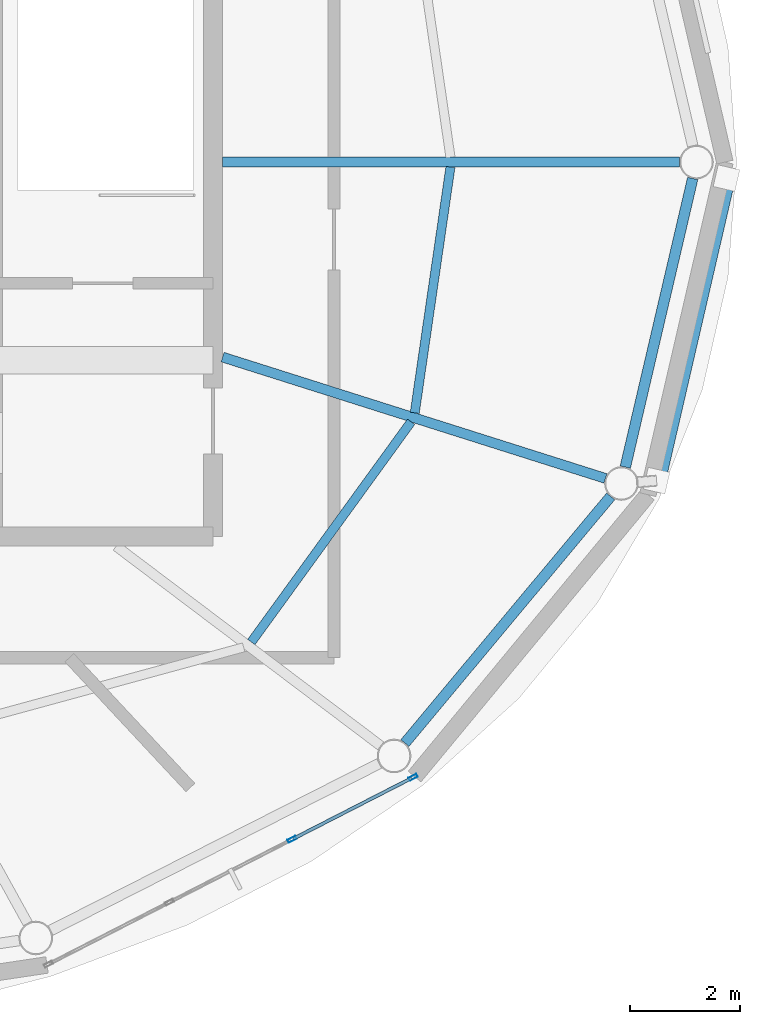
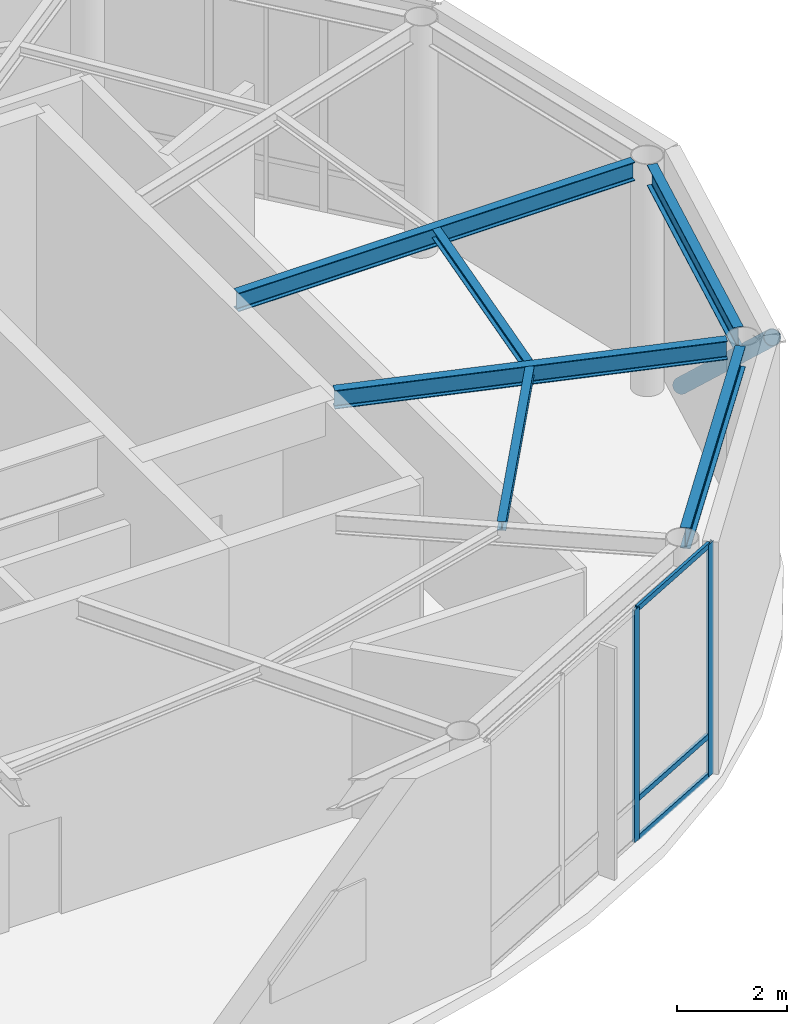
# One storey, part 9 of 14: 6 beams, 6 members, 1 element without a shape of its own.
"""IFC4 building model written with IfcOpenShell, lengths in metres."""

from ifc_helpers import new_model, si_unit, direction, frame, origin, origin_2d, place, context, subcontext, project, spatial, hollow_rectangle, hollow_circle, i_section, extrude, material, layer, layer_set, material_profile, profile_set, type_object, element, aggregate, save


model = new_model("IFC4")

# Units and contexts
model_context = context("Model", 3, precision=1e-05, world=origin(), true_north=direction((0.0, 1.0)))
body_context = subcontext(model_context, "Body", "Model", "MODEL_VIEW")
ifc_project = project(units=[si_unit("LENGTHUNIT", "METRE"), si_unit("AREAUNIT", "SQUARE_METRE"), si_unit("VOLUMEUNIT", "CUBIC_METRE"), si_unit("PLANEANGLEUNIT", "RADIAN"), si_unit("MASSUNIT", "GRAM", prefix="KILO")], contexts=[model_context])

# Site, building, storey
site_placement = place(None, origin())
site = spatial("IfcSite", under=ifc_project, at=site_placement, CompositionType="ELEMENT")
building_placement = place(site_placement, origin())
building = spatial("IfcBuilding", under=site, at=building_placement, Name="Sarneth Arch Tower", CompositionType="ELEMENT")
storey_placement = place(building_placement, frame((0.0, 0.0, 321.60009765625)))
storey = spatial("IfcBuildingStorey", under=building, at=storey_placement, Name="L83", CompositionType="ELEMENT", Elevation=321.60009765625)

# Beams
ifc_material_1 = material(Name="Steel S355", Category="steel")
ifc_material_profile_1 = material_profile(ifc_material_1, i_section(OverallWidth=0.1650390625, OverallDepth=0.200927734375, WebThickness=0.006103515625, FlangeThickness=0.01025390625, FilletRadius=0.010009765625, at=origin_2d()), Name="W200x35.9")
ifc_profile_set_1 = profile_set([ifc_material_profile_1], Name="Steel S355")
beam_type_1 = type_object("IfcBeamType", Name="BM-JOIST-200", PredefinedType="JOIST", material=ifc_profile_set_1)
beam_1_placement = place(storey_placement, frame((59.69677734375, 33.285400390625, 5.039306640625), z_axis=(0.587186987897, 0.809451321109, 0.0), x_axis=(-0.809451321109, 0.587186987897, 0.0)))
element("IfcBeam", 1, at=beam_1_placement, inside=storey, type_object=beam_type_1, Name="L83 Secondary floor joist 15", PredefinedType="JOIST", context=body_context, shape_type="SweptSolid", body=[
    extrude(i_section(OverallWidth=0.1650390625, OverallDepth=0.200927734375, WebThickness=0.006103515625, FlangeThickness=0.01025390625, FilletRadius=0.010009765625, at=origin_2d()), origin(), (0.0, 0.0, 1.0), 4.940673828125),
])
beam_2_placement = place(storey_placement, frame((62.663818359375, 37.44677734375, 5.039306640625), z_axis=(0.143747114528, 0.989614453747, 0.0), x_axis=(-0.989614453747, 0.143747114528, 0.0)))
element("IfcBeam", 2, at=beam_2_placement, inside=storey, type_object=beam_type_1, Name="L83 Secondary floor joist 16", PredefinedType="JOIST", context=body_context, shape_type="SweptSolid", body=[
    extrude(i_section(OverallWidth=0.1650390625, OverallDepth=0.200927734375, WebThickness=0.006103515625, FlangeThickness=0.01025390625, FilletRadius=0.010009765625, at=origin_2d()), origin(), (0.0, 0.0, 1.0), 4.510986328125),
])
ifc_material_2 = material(Name="Steel S355", Category="steel")
ifc_material_profile_2 = material_profile(ifc_material_2, i_section(OverallWidth=0.179931640625, OverallDepth=0.4130859375, WebThickness=0.009765625, FlangeThickness=0.01611328125, FilletRadius=0.01611328125, at=origin_2d()), Name="W410x75")
ifc_profile_set_2 = profile_set([ifc_material_profile_2], Name="Steel S355")
beam_type_2 = type_object("IfcBeamType", Name="BM-RAD-410B", PredefinedType="BEAM", material=ifc_profile_set_2)
beam_3_placement = place(storey_placement, frame((59.175048828125, 42.0, 4.933349609375), z_axis=(1.0, 0.0, 0.0), x_axis=(0.0, 1.0, 0.0)))
element("IfcBeam", 3, at=beam_3_placement, inside=storey, type_object=beam_type_2, Name="L83 Radial floor girder 01", PredefinedType="BEAM", context=body_context, shape_type="SweptSolid", body=[
    extrude(i_section(OverallWidth=0.179931640625, OverallDepth=0.4130859375, WebThickness=0.009765625, FlangeThickness=0.01611328125, FilletRadius=0.01611328125, at=origin_2d()), origin(), (0.0, 0.0, 1.0), 8.300048828125),
])
beam_4_placement = place(storey_placement, frame((59.175048828125, 38.458984375, 4.933349609375), z_axis=(0.953282145376, -0.302081365376, 0.0), x_axis=(0.302081365376, 0.953282145376, 0.0)))
element("IfcBeam", 4, at=beam_4_placement, inside=storey, type_object=beam_type_2, Name="L83 Radial floor girder 16", PredefinedType="BEAM", context=body_context, shape_type="SweptSolid", body=[
    extrude(i_section(OverallWidth=0.179931640625, OverallDepth=0.4130859375, WebThickness=0.009765625, FlangeThickness=0.01611328125, FilletRadius=0.01611328125, at=origin_2d()), origin(), (0.0, 0.0, 1.0), 7.292236328125),
])
ifc_material_3 = material(Name="Steel S355", Category="steel")
ifc_material_profile_3 = material_profile(ifc_material_3, i_section(OverallWidth=0.19189453125, OverallDepth=0.462890625, WebThickness=0.010498046875, FlangeThickness=0.017578125, FilletRadius=0.01806640625, at=origin_2d()), Name="W460x89")
ifc_profile_set_3 = profile_set([ifc_material_profile_3], Name="Steel S355")
beam_type_3 = type_object("IfcBeamType", Name="BM-RAD-460B", PredefinedType="BEAM", material=ifc_profile_set_3)
beam_5_placement = place(storey_placement, frame((62.484375, 31.45068359375, 4.908447265625), z_axis=(0.64067411458, 0.767812919211, 0.0), x_axis=(-0.767812919211, 0.64067411458, 0.0)))
element("IfcBeam", 5, at=beam_5_placement, inside=storey, type_object=beam_type_3, Name="L83 Perimeter spandrel beam 15", PredefinedType="BEAM", context=body_context, shape_type="SweptSolid", body=[
    extrude(i_section(OverallWidth=0.19189453125, OverallDepth=0.462890625, WebThickness=0.010498046875, FlangeThickness=0.017578125, FilletRadius=0.01806640625, at=origin_2d()), origin(), (0.0, 0.0, 1.0), 5.833740234375),
])
beam_6_placement = place(storey_placement, frame((66.48681640625, 36.461181640625, 4.908447265625), z_axis=(0.227416006803, 0.973797699653, 0.0), x_axis=(-0.973797699653, 0.227416006803, 0.0)))
element("IfcBeam", 6, at=beam_6_placement, inside=storey, type_object=beam_type_3, Name="L83 Perimeter spandrel beam 16", PredefinedType="BEAM", context=body_context, shape_type="SweptSolid", body=[
    extrude(i_section(OverallWidth=0.19189453125, OverallDepth=0.462890625, WebThickness=0.010498046875, FlangeThickness=0.017578125, FilletRadius=0.01806640625, at=origin_2d()), origin(), (0.0, 0.0, 1.0), 5.3828125),
])

# Curtain wall, members
ifc_material_4 = material(Name="Anodised aluminium Type AA25 and solar-control low-e laminated IGU", Category="aluminium")
ifc_layer = layer(ifc_material_4, 0.18994140625)
ifc_layer_set = layer_set([ifc_layer], Name="Anodised aluminium Type AA25 and solar-control low-e laminated IGU")
curtain_wall_type = type_object("IfcCurtainWallType", Name="CW-CROWN-DRUM", PredefinedType="NOTDEFINED", material=ifc_layer_set)
curtain_wall_placement = place(storey_placement, origin())
curtain_wall = element("IfcCurtainWall", 7, at=curtain_wall_placement, inside=storey, type_object=curtain_wall_type, Name="L83 Unitised curtain wall facet 14", PredefinedType="NOTDEFINED")
ifc_material_5 = material(Name="Anodised Aluminium 6063-T6", Category="aluminium")
ifc_material_profile_4 = material_profile(ifc_material_5, hollow_rectangle(XDim=0.06005859375, YDim=0.159912109375, WallThickness=0.00390625, at=origin_2d()), Name="AL-MULL-160x60x4")
ifc_profile_set_4 = profile_set([ifc_material_profile_4], Name="Anodised Aluminium 6063-T6")
member_type_1 = type_object("IfcMemberType", Name="CW-MULLION", PredefinedType="MULLION", material=ifc_profile_set_4)
member_1_placement = place(storey_placement, frame((60.435791015625, 29.70166015625, 0.0), z_axis=(0.0, 0.0, 1.0), x_axis=(-0.456040359598, 0.8899590948, 0.0)))
member_1 = element("IfcMember", 8, at=member_1_placement, type_object=member_type_1, Name="CW-SYS-7 mullion 3", PredefinedType="MULLION", context=body_context, shape_type="SweptSolid", body=[
    extrude(hollow_rectangle(XDim=0.06005859375, YDim=0.159912109375, WallThickness=0.00390625, at=origin_2d()), origin(), (0.0, 0.0, 1.0), 5.139892578125),
])
member_2_placement = place(storey_placement, frame((62.63427734375, 30.828125, 0.0), z_axis=(0.0, 0.0, 1.0), x_axis=(-0.456040359598, 0.8899590948, 0.0)))
member_2 = element("IfcMember", 9, at=member_2_placement, type_object=member_type_1, Name="CW-SYS-7 mullion 4", PredefinedType="MULLION", context=body_context, shape_type="SweptSolid", body=[
    extrude(hollow_rectangle(XDim=0.06005859375, YDim=0.159912109375, WallThickness=0.00390625, at=origin_2d()), origin(), (0.0, 0.0, 1.0), 5.139892578125),
])
ifc_material_6 = material(Name="Anodised Aluminium 6063-T6", Category="aluminium")
ifc_material_profile_5 = material_profile(ifc_material_6, hollow_rectangle(XDim=0.06005859375, YDim=0.1201171875, WallThickness=0.00390625, at=origin_2d()), Name="AL-TRAN-120x60x4")
ifc_profile_set_5 = profile_set([ifc_material_profile_5], Name="Anodised Aluminium 6063-T6")
member_type_2 = type_object("IfcMemberType", Name="CW-TRANSOM", PredefinedType="USERDEFINED", material=ifc_profile_set_5)
member_3_placement = place(storey_placement, frame((60.462646484375, 29.71533203125, 0.02978515625), z_axis=(0.889967167286, 0.456024605864, 0.0), x_axis=(-0.456024605864, 0.889967167286, 0.0)))
member_3 = element("IfcMember", 10, at=member_3_placement, type_object=member_type_2, Name="CW-SYS-7 transom 3.1", ObjectType="TRANSOM", PredefinedType="USERDEFINED", context=body_context, shape_type="SweptSolid", body=[
    extrude(hollow_rectangle(XDim=0.06005859375, YDim=0.1201171875, WallThickness=0.00390625, at=origin_2d()), origin(), (0.0, 0.0, 1.0), 2.41015625),
])
member_4_placement = place(storey_placement, frame((60.462646484375, 29.71533203125, 0.89990234375), z_axis=(0.889967167286, 0.456024605864, 0.0), x_axis=(-0.456024605864, 0.889967167286, 0.0)))
member_4 = element("IfcMember", 11, at=member_4_placement, type_object=member_type_2, Name="CW-SYS-7 transom 3.2", ObjectType="TRANSOM", PredefinedType="USERDEFINED", context=body_context, shape_type="SweptSolid", body=[
    extrude(hollow_rectangle(XDim=0.06005859375, YDim=0.1201171875, WallThickness=0.00390625, at=origin_2d()), origin(), (0.0, 0.0, 1.0), 2.41015625),
])
member_5_placement = place(storey_placement, frame((60.462646484375, 29.71533203125, 5.10986328125), z_axis=(0.889967167286, 0.456024605864, 0.0), x_axis=(-0.456024605864, 0.889967167286, 0.0)))
member_5 = element("IfcMember", 12, at=member_5_placement, type_object=member_type_2, Name="CW-SYS-7 transom 3.3", ObjectType="TRANSOM", PredefinedType="USERDEFINED", context=body_context, shape_type="SweptSolid", body=[
    extrude(hollow_rectangle(XDim=0.06005859375, YDim=0.1201171875, WallThickness=0.00390625, at=origin_2d()), origin(), (0.0, 0.0, 1.0), 2.41015625),
])
aggregate(curtain_wall, [member_1, member_2, member_3, member_4, member_5])

# Member
ifc_material_7 = material(Name="Steel S355", Category="steel")
ifc_material_profile_6 = material_profile(ifc_material_7, hollow_circle(Radius=0.162109375, WallThickness=0.012451171875, at=origin_2d()), Name="CHS324x12.5")
ifc_profile_set_6 = profile_set([ifc_material_profile_6], Name="Steel S355")
member_type_3 = type_object("IfcMemberType", Name="MEM-DIAG-BR3", PredefinedType="BRACE", material=ifc_profile_set_6)
member_6_placement = place(storey_placement, frame((68.324951171875, 41.707763671875, 0.02001953125), z_axis=(-0.17086811369, -0.739092473308, 0.651572255106), x_axis=(0.97430207007, -0.225245369002, 0.0)))
element("IfcMember", 13, at=member_6_placement, inside=storey, type_object=member_type_3, Name="L83 Perimeter frame diagonal 16", PredefinedType="BRACE", context=body_context, shape_type="SweptSolid", body=[
    extrude(hollow_circle(Radius=0.162109375, WallThickness=0.012451171875, at=origin_2d()), origin(), (0.0, 0.0, 1.0), 7.431396484375),
])

save(model, "model.ifc")
